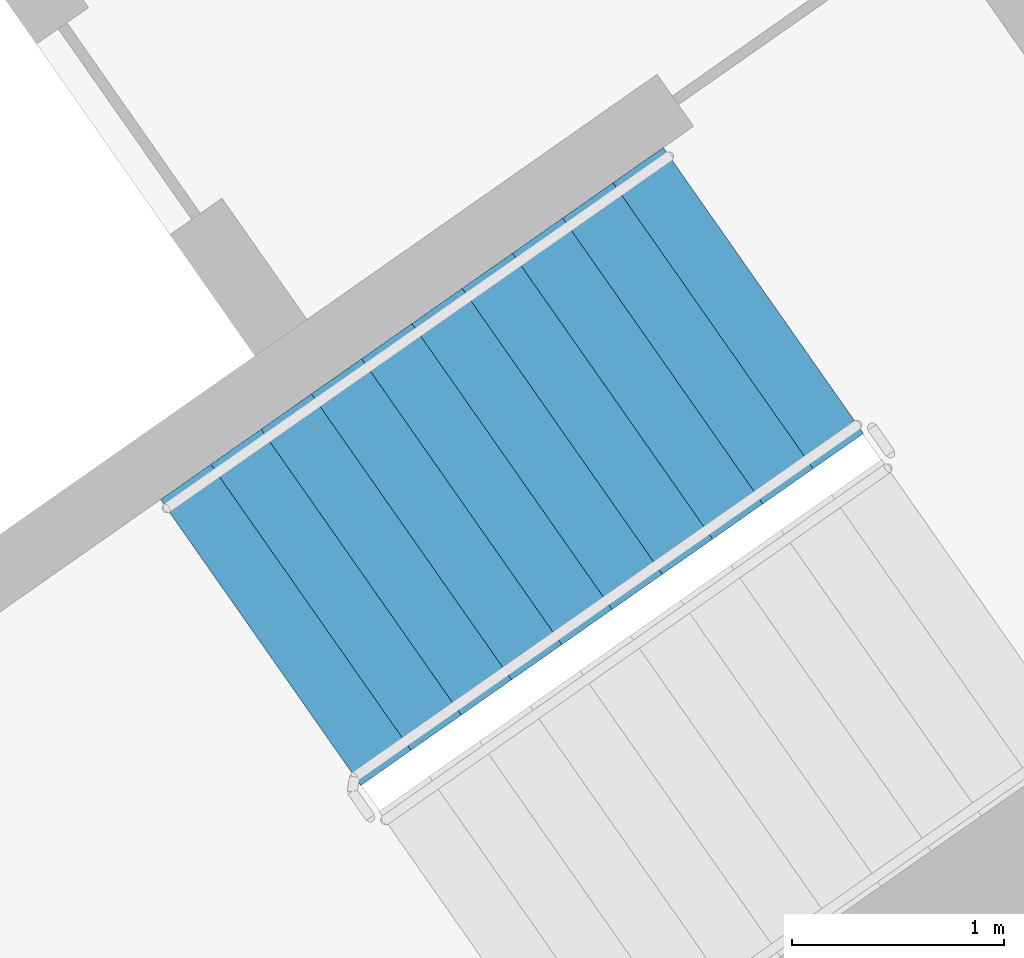
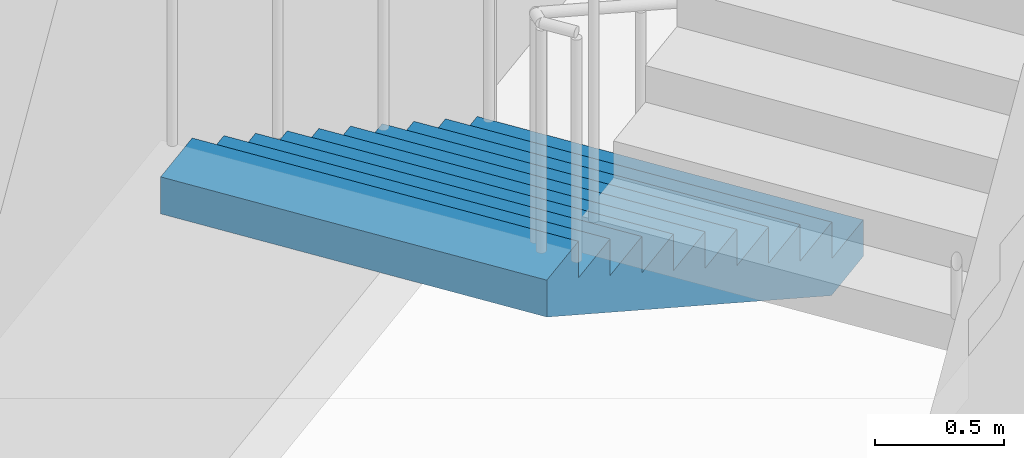
# One storey, part 14 of 27: 1 stair flight, 1 element without a shape of its own.
"""IFC4 building model written with IfcOpenShell, lengths in metres."""

from ifc_helpers import new_model, si_unit, direction, frame, origin, place, context, subcontext, project, spatial, faceted_brep, material, type_object, element, aggregate, save


model = new_model("IFC4")

# Units and contexts
model_context = context("Model", 3, precision=1e-05, world=origin(), true_north=direction((0.0, 1.0)))
body_context = subcontext(model_context, "Body", "Model", "MODEL_VIEW")
ifc_project = project(units=[si_unit("LENGTHUNIT", "METRE"), si_unit("AREAUNIT", "SQUARE_METRE"), si_unit("VOLUMEUNIT", "CUBIC_METRE"), si_unit("PLANEANGLEUNIT", "RADIAN"), si_unit("MASSUNIT", "GRAM", prefix="KILO")], contexts=[model_context])

# Site, building, storey
site_placement = place(None, origin())
site = spatial("IfcSite", under=ifc_project, at=site_placement, CompositionType="ELEMENT")
building_placement = place(site_placement, origin())
building = spatial("IfcBuilding", under=site, at=building_placement, Name="Qamariyya Broadcast Tower", CompositionType="ELEMENT")
storey_placement = place(building_placement, frame((0.0, 0.0, 222.699951171875)))
storey = spatial("IfcBuildingStorey", under=building, at=storey_placement, Name="L53", CompositionType="ELEMENT", Elevation=222.699951171875)

# Stair, stair flight
ifc_material = material(Name="Concrete C50/60", Category="concrete")
stair_type = type_object("IfcStairType", Name="Exit stair 22 risers of 173 mm", PredefinedType="HALF_TURN_STAIR", material=ifc_material)
stair_placement = place(storey_placement, origin())
stair = element("IfcStair", 1, at=stair_placement, inside=storey, type_object=stair_type, Name="L53 Stair E1", PredefinedType="HALF_TURN_STAIR")
stair_flight_type = type_object("IfcStairFlightType", Name="Exit stair flight 11 risers of 173 mm", PredefinedType="STRAIGHT", material=ifc_material)
stair_flight_placement = place(storey_placement, frame((46.036376953125, -55.508056640625, 0.0), z_axis=(0.0, 0.0, 1.0), x_axis=(-0.819152044289, -0.573576436351, 0.0)))
stair_flight = element("IfcStairFlight", 2, at=stair_flight_placement, type_object=stair_flight_type, Name="ST-E1 flight 1", NumberOfRisers=11, NumberOfTreads=10, PredefinedType="STRAIGHT", RiserHeight=0.172727273, TreadLength=0.29, context=body_context, shape_type="Brep", body=[
    faceted_brep([(0.0, 0.824951171875, 0.0), (0.0, 0.824951171875, 0.172607421875), (0.2900390625, 0.824951171875, 0.172607421875), (0.2900390625, 0.824951171875, 0.345458984375), (0.580078125, 0.824951171875, 0.345458984375), (0.580078125, 0.824951171875, 0.51806640625), (0.8701171875, 0.824951171875, 0.51806640625), (0.8701171875, 0.824951171875, 0.69091796875), (1.159912109375, 0.824951171875, 0.69091796875), (1.159912109375, 0.824951171875, 0.863525390625), (1.449951171875, 0.824951171875, 0.863525390625), (1.449951171875, 0.824951171875, 1.036376953125), (1.739990234375, 0.824951171875, 1.036376953125), (1.739990234375, 0.824951171875, 1.208984375), (2.030029296875, 0.824951171875, 1.208984375), (2.030029296875, 0.824951171875, 1.3818359375), (2.320068359375, 0.824951171875, 1.3818359375), (2.320068359375, 0.824951171875, 1.554443359375), (2.610107421875, 0.824951171875, 1.554443359375), (2.610107421875, 0.824951171875, 1.727294921875), (2.89990234375, 0.824951171875, 1.727294921875), (2.89990234375, 0.824951171875, 1.552734375), (0.29296875, 0.824951171875, 0.0), (0.29296875, -0.824951171875, 0.0), (2.89990234375, -0.824951171875, 1.552734375), (2.89990234375, -0.824951171875, 1.727294921875), (2.610107421875, -0.824951171875, 1.727294921875), (2.610107421875, -0.824951171875, 1.554443359375), (2.320068359375, -0.824951171875, 1.554443359375), (2.320068359375, -0.824951171875, 1.3818359375), (2.030029296875, -0.824951171875, 1.3818359375), (2.030029296875, -0.824951171875, 1.208984375), (1.739990234375, -0.824951171875, 1.208984375), (1.739990234375, -0.824951171875, 1.036376953125), (1.449951171875, -0.824951171875, 1.036376953125), (1.449951171875, -0.824951171875, 0.863525390625), (1.159912109375, -0.824951171875, 0.863525390625), (1.159912109375, -0.824951171875, 0.69091796875), (0.8701171875, -0.824951171875, 0.69091796875), (0.8701171875, -0.824951171875, 0.51806640625), (0.580078125, -0.824951171875, 0.51806640625), (0.580078125, -0.824951171875, 0.345458984375), (0.2900390625, -0.824951171875, 0.345458984375), (0.2900390625, -0.824951171875, 0.172607421875), (0.0, -0.824951171875, 0.172607421875), (0.0, -0.824951171875, 0.0), (0.0, 0.10009765625, 0.0), (0.0, 0.086669921875, 0.0), (0.0, 0.0732421875, 0.0), (0.0, 0.06005859375, 0.0), (0.0, 0.046630859375, 0.0), (0.0, 0.033447265625, 0.0), (0.0, 0.02001953125, 0.0), (0.0, 0.006591796875, 0.0), (0.0, -0.006591796875, 0.0), (0.0, -0.02001953125, 0.0), (0.0, -0.033447265625, 0.0), (0.0, -0.046630859375, 0.0), (0.0, -0.06005859375, 0.0), (0.0, -0.0732421875, 0.0), (0.0, -0.086669921875, 0.0), (0.0, -0.10009765625, 0.0), (0.0, -0.10009765625, 0.172607421875), (0.0, -0.086669921875, 0.172607421875), (0.0, -0.0732421875, 0.172607421875), (0.0, -0.06005859375, 0.172607421875), (0.0, -0.046630859375, 0.172607421875), (0.0, -0.033447265625, 0.172607421875), (0.0, -0.02001953125, 0.172607421875), (0.0, -0.006591796875, 0.172607421875), (0.0, 0.006591796875, 0.172607421875), (0.0, 0.02001953125, 0.172607421875), (0.0, 0.033447265625, 0.172607421875), (0.0, 0.046630859375, 0.172607421875), (0.0, 0.06005859375, 0.172607421875), (0.0, 0.0732421875, 0.172607421875), (0.0, 0.086669921875, 0.172607421875), (0.0, 0.10009765625, 0.172607421875), (0.2900390625, -0.10009765625, 0.172607421875), (0.2900390625, -0.086669921875, 0.172607421875), (0.2900390625, -0.0732421875, 0.172607421875), (0.2900390625, -0.06005859375, 0.172607421875), (0.2900390625, -0.046630859375, 0.172607421875), (0.2900390625, -0.033447265625, 0.172607421875), (0.2900390625, -0.02001953125, 0.172607421875), (0.2900390625, -0.006591796875, 0.172607421875), (0.2900390625, 0.006591796875, 0.172607421875), (0.2900390625, 0.02001953125, 0.172607421875), (0.2900390625, 0.033447265625, 0.172607421875), (0.2900390625, 0.046630859375, 0.172607421875), (0.2900390625, 0.06005859375, 0.172607421875), (0.2900390625, 0.0732421875, 0.172607421875), (0.2900390625, 0.086669921875, 0.172607421875), (0.2900390625, 0.10009765625, 0.172607421875), (0.2900390625, -0.10009765625, 0.345458984375), (0.2900390625, -0.086669921875, 0.345458984375), (0.2900390625, -0.0732421875, 0.345458984375), (0.2900390625, -0.06005859375, 0.345458984375), (0.2900390625, -0.046630859375, 0.345458984375), (0.2900390625, -0.033447265625, 0.345458984375), (0.2900390625, -0.02001953125, 0.345458984375), (0.2900390625, -0.006591796875, 0.345458984375), (0.2900390625, 0.006591796875, 0.345458984375), (0.2900390625, 0.02001953125, 0.345458984375), (0.2900390625, 0.033447265625, 0.345458984375), (0.2900390625, 0.046630859375, 0.345458984375), (0.2900390625, 0.06005859375, 0.345458984375), (0.2900390625, 0.0732421875, 0.345458984375), (0.2900390625, 0.086669921875, 0.345458984375), (0.2900390625, 0.10009765625, 0.345458984375), (0.580078125, -0.10009765625, 0.345458984375), (0.580078125, -0.086669921875, 0.345458984375), (0.580078125, -0.0732421875, 0.345458984375), (0.580078125, -0.06005859375, 0.345458984375), (0.580078125, -0.046630859375, 0.345458984375), (0.580078125, -0.033447265625, 0.345458984375), (0.580078125, -0.02001953125, 0.345458984375), (0.580078125, -0.006591796875, 0.345458984375), (0.580078125, 0.006591796875, 0.345458984375), (0.580078125, 0.02001953125, 0.345458984375), (0.580078125, 0.033447265625, 0.345458984375), (0.580078125, 0.046630859375, 0.345458984375), (0.580078125, 0.06005859375, 0.345458984375), (0.580078125, 0.0732421875, 0.345458984375), (0.580078125, 0.086669921875, 0.345458984375), (0.580078125, 0.10009765625, 0.345458984375), (0.580078125, -0.10009765625, 0.51806640625), (0.580078125, -0.086669921875, 0.51806640625), (0.580078125, -0.0732421875, 0.51806640625), (0.580078125, -0.06005859375, 0.51806640625), (0.580078125, -0.046630859375, 0.51806640625), (0.580078125, -0.033447265625, 0.51806640625), (0.580078125, -0.02001953125, 0.51806640625), (0.580078125, -0.006591796875, 0.51806640625), (0.580078125, 0.006591796875, 0.51806640625), (0.580078125, 0.02001953125, 0.51806640625), (0.580078125, 0.033447265625, 0.51806640625), (0.580078125, 0.046630859375, 0.51806640625), (0.580078125, 0.06005859375, 0.51806640625), (0.580078125, 0.0732421875, 0.51806640625), (0.580078125, 0.086669921875, 0.51806640625), (0.580078125, 0.10009765625, 0.51806640625), (0.8701171875, -0.10009765625, 0.51806640625), (0.8701171875, -0.086669921875, 0.51806640625), (0.8701171875, -0.0732421875, 0.51806640625), (0.8701171875, -0.06005859375, 0.51806640625), (0.8701171875, -0.046630859375, 0.51806640625), (0.8701171875, -0.033447265625, 0.51806640625), (0.8701171875, -0.02001953125, 0.51806640625), (0.8701171875, -0.006591796875, 0.51806640625), (0.8701171875, 0.006591796875, 0.51806640625), (0.8701171875, 0.02001953125, 0.51806640625), (0.8701171875, 0.033447265625, 0.51806640625), (0.8701171875, 0.046630859375, 0.51806640625), (0.8701171875, 0.06005859375, 0.51806640625), (0.8701171875, 0.0732421875, 0.51806640625), (0.8701171875, 0.086669921875, 0.51806640625), (0.8701171875, 0.10009765625, 0.51806640625), (0.8701171875, -0.10009765625, 0.69091796875), (0.8701171875, -0.086669921875, 0.69091796875), (0.8701171875, -0.0732421875, 0.69091796875), (0.8701171875, -0.06005859375, 0.69091796875), (0.8701171875, -0.046630859375, 0.69091796875), (0.8701171875, -0.033447265625, 0.69091796875), (0.8701171875, -0.02001953125, 0.69091796875), (0.8701171875, -0.006591796875, 0.69091796875), (0.8701171875, 0.006591796875, 0.69091796875), (0.8701171875, 0.02001953125, 0.69091796875), (0.8701171875, 0.033447265625, 0.69091796875), (0.8701171875, 0.046630859375, 0.69091796875), (0.8701171875, 0.06005859375, 0.69091796875), (0.8701171875, 0.0732421875, 0.69091796875), (0.8701171875, 0.086669921875, 0.69091796875), (0.8701171875, 0.10009765625, 0.69091796875), (1.159912109375, -0.10009765625, 0.69091796875), (1.159912109375, -0.086669921875, 0.69091796875), (1.159912109375, -0.0732421875, 0.69091796875), (1.159912109375, -0.06005859375, 0.69091796875), (1.159912109375, -0.046630859375, 0.69091796875), (1.159912109375, -0.033447265625, 0.69091796875), (1.159912109375, -0.02001953125, 0.69091796875), (1.159912109375, -0.006591796875, 0.69091796875), (1.159912109375, 0.006591796875, 0.69091796875), (1.159912109375, 0.02001953125, 0.69091796875), (1.159912109375, 0.033447265625, 0.69091796875), (1.159912109375, 0.046630859375, 0.69091796875), (1.159912109375, 0.06005859375, 0.69091796875), (1.159912109375, 0.0732421875, 0.69091796875), (1.159912109375, 0.086669921875, 0.69091796875), (1.159912109375, 0.10009765625, 0.69091796875), (1.159912109375, -0.10009765625, 0.863525390625), (1.159912109375, -0.086669921875, 0.863525390625), (1.159912109375, -0.0732421875, 0.863525390625), (1.159912109375, -0.06005859375, 0.863525390625), (1.159912109375, -0.046630859375, 0.863525390625), (1.159912109375, -0.033447265625, 0.863525390625), (1.159912109375, -0.02001953125, 0.863525390625), (1.159912109375, -0.006591796875, 0.863525390625), (1.159912109375, 0.006591796875, 0.863525390625), (1.159912109375, 0.02001953125, 0.863525390625), (1.159912109375, 0.033447265625, 0.863525390625), (1.159912109375, 0.046630859375, 0.863525390625), (1.159912109375, 0.06005859375, 0.863525390625), (1.159912109375, 0.0732421875, 0.863525390625), (1.159912109375, 0.086669921875, 0.863525390625), (1.159912109375, 0.10009765625, 0.863525390625), (1.449951171875, -0.10009765625, 0.863525390625), (1.449951171875, -0.086669921875, 0.863525390625), (1.449951171875, -0.0732421875, 0.863525390625), (1.449951171875, -0.06005859375, 0.863525390625), (1.449951171875, -0.046630859375, 0.863525390625), (1.449951171875, -0.033447265625, 0.863525390625), (1.449951171875, -0.02001953125, 0.863525390625), (1.449951171875, -0.006591796875, 0.863525390625), (1.449951171875, 0.006591796875, 0.863525390625), (1.449951171875, 0.02001953125, 0.863525390625), (1.449951171875, 0.033447265625, 0.863525390625), (1.449951171875, 0.046630859375, 0.863525390625), (1.449951171875, 0.06005859375, 0.863525390625), (1.449951171875, 0.0732421875, 0.863525390625), (1.449951171875, 0.086669921875, 0.863525390625), (1.449951171875, 0.10009765625, 0.863525390625), (1.449951171875, -0.10009765625, 1.036376953125), (1.449951171875, -0.086669921875, 1.036376953125), (1.449951171875, -0.0732421875, 1.036376953125), (1.449951171875, -0.06005859375, 1.036376953125), (1.449951171875, -0.046630859375, 1.036376953125), (1.449951171875, -0.033447265625, 1.036376953125), (1.449951171875, -0.02001953125, 1.036376953125), (1.449951171875, -0.006591796875, 1.036376953125), (1.449951171875, 0.006591796875, 1.036376953125), (1.449951171875, 0.02001953125, 1.036376953125), (1.449951171875, 0.033447265625, 1.036376953125), (1.449951171875, 0.046630859375, 1.036376953125), (1.449951171875, 0.06005859375, 1.036376953125), (1.449951171875, 0.0732421875, 1.036376953125), (1.449951171875, 0.086669921875, 1.036376953125), (1.449951171875, 0.10009765625, 1.036376953125), (1.739990234375, -0.10009765625, 1.036376953125), (1.739990234375, -0.086669921875, 1.036376953125), (1.739990234375, -0.0732421875, 1.036376953125), (1.739990234375, -0.06005859375, 1.036376953125), (1.739990234375, -0.046630859375, 1.036376953125), (1.739990234375, -0.033447265625, 1.036376953125), (1.739990234375, -0.02001953125, 1.036376953125), (1.739990234375, -0.006591796875, 1.036376953125), (1.739990234375, 0.006591796875, 1.036376953125), (1.739990234375, 0.02001953125, 1.036376953125), (1.739990234375, 0.033447265625, 1.036376953125), (1.739990234375, 0.046630859375, 1.036376953125), (1.739990234375, 0.06005859375, 1.036376953125), (1.739990234375, 0.0732421875, 1.036376953125), (1.739990234375, 0.086669921875, 1.036376953125), (1.739990234375, 0.10009765625, 1.036376953125), (1.739990234375, -0.10009765625, 1.208984375), (1.739990234375, -0.086669921875, 1.208984375), (1.739990234375, -0.0732421875, 1.208984375), (1.739990234375, -0.06005859375, 1.208984375), (1.739990234375, -0.046630859375, 1.208984375), (1.739990234375, -0.033447265625, 1.208984375), (1.739990234375, -0.02001953125, 1.208984375), (1.739990234375, -0.006591796875, 1.208984375), (1.739990234375, 0.006591796875, 1.208984375), (1.739990234375, 0.02001953125, 1.208984375), (1.739990234375, 0.033447265625, 1.208984375), (1.739990234375, 0.046630859375, 1.208984375), (1.739990234375, 0.06005859375, 1.208984375), (1.739990234375, 0.0732421875, 1.208984375), (1.739990234375, 0.086669921875, 1.208984375), (1.739990234375, 0.10009765625, 1.208984375), (2.030029296875, -0.10009765625, 1.208984375), (2.030029296875, -0.086669921875, 1.208984375), (2.030029296875, -0.0732421875, 1.208984375), (2.030029296875, -0.06005859375, 1.208984375), (2.030029296875, -0.046630859375, 1.208984375), (2.030029296875, -0.033447265625, 1.208984375), (2.030029296875, -0.02001953125, 1.208984375), (2.030029296875, -0.006591796875, 1.208984375), (2.030029296875, 0.006591796875, 1.208984375), (2.030029296875, 0.02001953125, 1.208984375), (2.030029296875, 0.033447265625, 1.208984375), (2.030029296875, 0.046630859375, 1.208984375), (2.030029296875, 0.06005859375, 1.208984375), (2.030029296875, 0.0732421875, 1.208984375), (2.030029296875, 0.086669921875, 1.208984375), (2.030029296875, 0.10009765625, 1.208984375), (2.030029296875, -0.10009765625, 1.3818359375), (2.030029296875, -0.086669921875, 1.3818359375), (2.030029296875, -0.0732421875, 1.3818359375), (2.030029296875, -0.06005859375, 1.3818359375), (2.030029296875, -0.046630859375, 1.3818359375), (2.030029296875, -0.033447265625, 1.3818359375), (2.030029296875, -0.02001953125, 1.3818359375), (2.030029296875, -0.006591796875, 1.3818359375), (2.030029296875, 0.006591796875, 1.3818359375), (2.030029296875, 0.02001953125, 1.3818359375), (2.030029296875, 0.033447265625, 1.3818359375), (2.030029296875, 0.046630859375, 1.3818359375), (2.030029296875, 0.06005859375, 1.3818359375), (2.030029296875, 0.0732421875, 1.3818359375), (2.030029296875, 0.086669921875, 1.3818359375), (2.030029296875, 0.10009765625, 1.3818359375), (2.320068359375, -0.10009765625, 1.3818359375), (2.320068359375, -0.086669921875, 1.3818359375), (2.320068359375, -0.0732421875, 1.3818359375), (2.320068359375, -0.06005859375, 1.3818359375), (2.320068359375, -0.046630859375, 1.3818359375), (2.320068359375, -0.033447265625, 1.3818359375), (2.320068359375, -0.02001953125, 1.3818359375), (2.320068359375, -0.006591796875, 1.3818359375), (2.320068359375, 0.006591796875, 1.3818359375), (2.320068359375, 0.02001953125, 1.3818359375), (2.320068359375, 0.033447265625, 1.3818359375), (2.320068359375, 0.046630859375, 1.3818359375), (2.320068359375, 0.06005859375, 1.3818359375), (2.320068359375, 0.0732421875, 1.3818359375), (2.320068359375, 0.086669921875, 1.3818359375), (2.320068359375, 0.10009765625, 1.3818359375), (2.320068359375, -0.10009765625, 1.554443359375), (2.320068359375, -0.086669921875, 1.554443359375), (2.320068359375, -0.0732421875, 1.554443359375), (2.320068359375, -0.06005859375, 1.554443359375), (2.320068359375, -0.046630859375, 1.554443359375), (2.320068359375, -0.033447265625, 1.554443359375), (2.320068359375, -0.02001953125, 1.554443359375), (2.320068359375, -0.006591796875, 1.554443359375), (2.320068359375, 0.006591796875, 1.554443359375), (2.320068359375, 0.02001953125, 1.554443359375), (2.320068359375, 0.033447265625, 1.554443359375), (2.320068359375, 0.046630859375, 1.554443359375), (2.320068359375, 0.06005859375, 1.554443359375), (2.320068359375, 0.0732421875, 1.554443359375), (2.320068359375, 0.086669921875, 1.554443359375), (2.320068359375, 0.10009765625, 1.554443359375), (2.610107421875, -0.10009765625, 1.554443359375), (2.610107421875, -0.086669921875, 1.554443359375), (2.610107421875, -0.0732421875, 1.554443359375), (2.610107421875, -0.06005859375, 1.554443359375), (2.610107421875, -0.046630859375, 1.554443359375), (2.610107421875, -0.033447265625, 1.554443359375), (2.610107421875, -0.02001953125, 1.554443359375), (2.610107421875, -0.006591796875, 1.554443359375), (2.610107421875, 0.006591796875, 1.554443359375), (2.610107421875, 0.02001953125, 1.554443359375), (2.610107421875, 0.033447265625, 1.554443359375), (2.610107421875, 0.046630859375, 1.554443359375), (2.610107421875, 0.06005859375, 1.554443359375), (2.610107421875, 0.0732421875, 1.554443359375), (2.610107421875, 0.086669921875, 1.554443359375), (2.610107421875, 0.10009765625, 1.554443359375), (2.610107421875, -0.10009765625, 1.727294921875), (2.610107421875, -0.086669921875, 1.727294921875), (2.610107421875, -0.0732421875, 1.727294921875), (2.610107421875, -0.06005859375, 1.727294921875), (2.610107421875, -0.046630859375, 1.727294921875), (2.610107421875, -0.033447265625, 1.727294921875), (2.610107421875, -0.02001953125, 1.727294921875), (2.610107421875, -0.006591796875, 1.727294921875), (2.610107421875, 0.006591796875, 1.727294921875), (2.610107421875, 0.02001953125, 1.727294921875), (2.610107421875, 0.033447265625, 1.727294921875), (2.610107421875, 0.046630859375, 1.727294921875), (2.610107421875, 0.06005859375, 1.727294921875), (2.610107421875, 0.0732421875, 1.727294921875), (2.610107421875, 0.086669921875, 1.727294921875), (2.610107421875, 0.10009765625, 1.727294921875), (2.89990234375, -0.10009765625, 1.727294921875), (2.89990234375, -0.086669921875, 1.727294921875), (2.89990234375, -0.0732421875, 1.727294921875), (2.89990234375, -0.06005859375, 1.727294921875), (2.89990234375, -0.046630859375, 1.727294921875), (2.89990234375, -0.033447265625, 1.727294921875), (2.89990234375, -0.02001953125, 1.727294921875), (2.89990234375, -0.006591796875, 1.727294921875), (2.89990234375, 0.006591796875, 1.727294921875), (2.89990234375, 0.02001953125, 1.727294921875), (2.89990234375, 0.033447265625, 1.727294921875), (2.89990234375, 0.046630859375, 1.727294921875), (2.89990234375, 0.06005859375, 1.727294921875), (2.89990234375, 0.0732421875, 1.727294921875), (2.89990234375, 0.086669921875, 1.727294921875), (2.89990234375, 0.10009765625, 1.727294921875), (2.89990234375, -0.10009765625, 1.552734375), (2.89990234375, -0.086669921875, 1.552734375), (2.89990234375, -0.0732421875, 1.552734375), (2.89990234375, -0.06005859375, 1.552734375), (2.89990234375, -0.046630859375, 1.552734375), (2.89990234375, -0.033447265625, 1.552734375), (2.89990234375, -0.02001953125, 1.552734375), (2.89990234375, -0.006591796875, 1.552734375), (2.89990234375, 0.006591796875, 1.552734375), (2.89990234375, 0.02001953125, 1.552734375), (2.89990234375, 0.033447265625, 1.552734375), (2.89990234375, 0.046630859375, 1.552734375), (2.89990234375, 0.06005859375, 1.552734375), (2.89990234375, 0.0732421875, 1.552734375), (2.89990234375, 0.086669921875, 1.552734375), (2.89990234375, 0.10009765625, 1.552734375), (0.29296875, -0.10009765625, 0.0), (0.29296875, -0.086669921875, 0.0), (0.29296875, -0.0732421875, 0.0), (0.29296875, -0.06005859375, 0.0), (0.29296875, -0.046630859375, 0.0), (0.29296875, -0.033447265625, 0.0), (0.29296875, -0.02001953125, 0.0), (0.29296875, -0.006591796875, 0.0), (0.29296875, 0.006591796875, 0.0), (0.29296875, 0.02001953125, 0.0), (0.29296875, 0.033447265625, 0.0), (0.29296875, 0.046630859375, 0.0), (0.29296875, 0.06005859375, 0.0), (0.29296875, 0.0732421875, 0.0), (0.29296875, 0.086669921875, 0.0), (0.29296875, 0.10009765625, 0.0)], [[[0, 1, 2, 3, 4, 5, 6, 7, 8, 9, 10, 11, 12, 13, 14, 15, 16, 17, 18, 19, 20, 21, 22]], [[23, 24, 25, 26, 27, 28, 29, 30, 31, 32, 33, 34, 35, 36, 37, 38, 39, 40, 41, 42, 43, 44, 45]], [[0, 46, 47, 48, 49, 50, 51, 52, 53, 54, 55, 56, 57, 58, 59, 60, 61, 45, 44, 62, 63, 64, 65, 66, 67, 68, 69, 70, 71, 72, 73, 74, 75, 76, 77, 1]], [[1, 77, 76, 75, 74, 73, 72, 71, 70, 69, 68, 67, 66, 65, 64, 63, 62, 44, 43, 78, 79, 80, 81, 82, 83, 84, 85, 86, 87, 88, 89, 90, 91, 92, 93, 2]], [[2, 93, 92, 91, 90, 89, 88, 87, 86, 85, 84, 83, 82, 81, 80, 79, 78, 43, 42, 94, 95, 96, 97, 98, 99, 100, 101, 102, 103, 104, 105, 106, 107, 108, 109, 3]], [[3, 109, 108, 107, 106, 105, 104, 103, 102, 101, 100, 99, 98, 97, 96, 95, 94, 42, 41, 110, 111, 112, 113, 114, 115, 116, 117, 118, 119, 120, 121, 122, 123, 124, 125, 4]], [[4, 125, 124, 123, 122, 121, 120, 119, 118, 117, 116, 115, 114, 113, 112, 111, 110, 41, 40, 126, 127, 128, 129, 130, 131, 132, 133, 134, 135, 136, 137, 138, 139, 140, 141, 5]], [[5, 141, 140, 139, 138, 137, 136, 135, 134, 133, 132, 131, 130, 129, 128, 127, 126, 40, 39, 142, 143, 144, 145, 146, 147, 148, 149, 150, 151, 152, 153, 154, 155, 156, 157, 6]], [[6, 157, 156, 155, 154, 153, 152, 151, 150, 149, 148, 147, 146, 145, 144, 143, 142, 39, 38, 158, 159, 160, 161, 162, 163, 164, 165, 166, 167, 168, 169, 170, 171, 172, 173, 7]], [[7, 173, 172, 171, 170, 169, 168, 167, 166, 165, 164, 163, 162, 161, 160, 159, 158, 38, 37, 174, 175, 176, 177, 178, 179, 180, 181, 182, 183, 184, 185, 186, 187, 188, 189, 8]], [[8, 189, 188, 187, 186, 185, 184, 183, 182, 181, 180, 179, 178, 177, 176, 175, 174, 37, 36, 190, 191, 192, 193, 194, 195, 196, 197, 198, 199, 200, 201, 202, 203, 204, 205, 9]], [[9, 205, 204, 203, 202, 201, 200, 199, 198, 197, 196, 195, 194, 193, 192, 191, 190, 36, 35, 206, 207, 208, 209, 210, 211, 212, 213, 214, 215, 216, 217, 218, 219, 220, 221, 10]], [[10, 221, 220, 219, 218, 217, 216, 215, 214, 213, 212, 211, 210, 209, 208, 207, 206, 35, 34, 222, 223, 224, 225, 226, 227, 228, 229, 230, 231, 232, 233, 234, 235, 236, 237, 11]], [[11, 237, 236, 235, 234, 233, 232, 231, 230, 229, 228, 227, 226, 225, 224, 223, 222, 34, 33, 238, 239, 240, 241, 242, 243, 244, 245, 246, 247, 248, 249, 250, 251, 252, 253, 12]], [[12, 253, 252, 251, 250, 249, 248, 247, 246, 245, 244, 243, 242, 241, 240, 239, 238, 33, 32, 254, 255, 256, 257, 258, 259, 260, 261, 262, 263, 264, 265, 266, 267, 268, 269, 13]], [[13, 269, 268, 267, 266, 265, 264, 263, 262, 261, 260, 259, 258, 257, 256, 255, 254, 32, 31, 270, 271, 272, 273, 274, 275, 276, 277, 278, 279, 280, 281, 282, 283, 284, 285, 14]], [[14, 285, 284, 283, 282, 281, 280, 279, 278, 277, 276, 275, 274, 273, 272, 271, 270, 31, 30, 286, 287, 288, 289, 290, 291, 292, 293, 294, 295, 296, 297, 298, 299, 300, 301, 15]], [[15, 301, 300, 299, 298, 297, 296, 295, 294, 293, 292, 291, 290, 289, 288, 287, 286, 30, 29, 302, 303, 304, 305, 306, 307, 308, 309, 310, 311, 312, 313, 314, 315, 316, 317, 16]], [[16, 317, 316, 315, 314, 313, 312, 311, 310, 309, 308, 307, 306, 305, 304, 303, 302, 29, 28, 318, 319, 320, 321, 322, 323, 324, 325, 326, 327, 328, 329, 330, 331, 332, 333, 17]], [[17, 333, 332, 331, 330, 329, 328, 327, 326, 325, 324, 323, 322, 321, 320, 319, 318, 28, 27, 334, 335, 336, 337, 338, 339, 340, 341, 342, 343, 344, 345, 346, 347, 348, 349, 18]], [[18, 349, 348, 347, 346, 345, 344, 343, 342, 341, 340, 339, 338, 337, 336, 335, 334, 27, 26, 350, 351, 352, 353, 354, 355, 356, 357, 358, 359, 360, 361, 362, 363, 364, 365, 19]], [[19, 365, 364, 363, 362, 361, 360, 359, 358, 357, 356, 355, 354, 353, 352, 351, 350, 26, 25, 366, 367, 368, 369, 370, 371, 372, 373, 374, 375, 376, 377, 378, 379, 380, 381, 20]], [[20, 381, 380, 379, 378, 377, 376, 375, 374, 373, 372, 371, 370, 369, 368, 367, 366, 25, 24, 382, 383, 384, 385, 386, 387, 388, 389, 390, 391, 392, 393, 394, 395, 396, 397, 21]], [[21, 397, 396, 395, 394, 393, 392, 391, 390, 389, 388, 387, 386, 385, 384, 383, 382, 24, 23, 398, 399, 400, 401, 402, 403, 404, 405, 406, 407, 408, 409, 410, 411, 412, 413, 22]], [[22, 413, 412, 411, 410, 409, 408, 407, 406, 405, 404, 403, 402, 401, 400, 399, 398, 23, 45, 61, 60, 59, 58, 57, 56, 55, 54, 53, 52, 51, 50, 49, 48, 47, 46, 0]]]),
])
aggregate(stair, [stair_flight])

save(model, "model.ifc")
